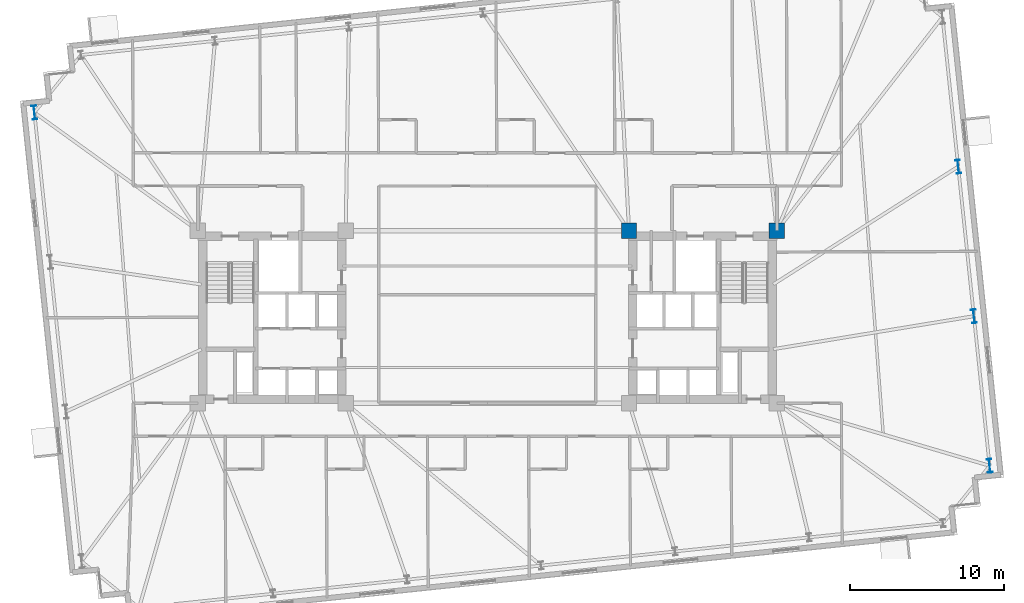
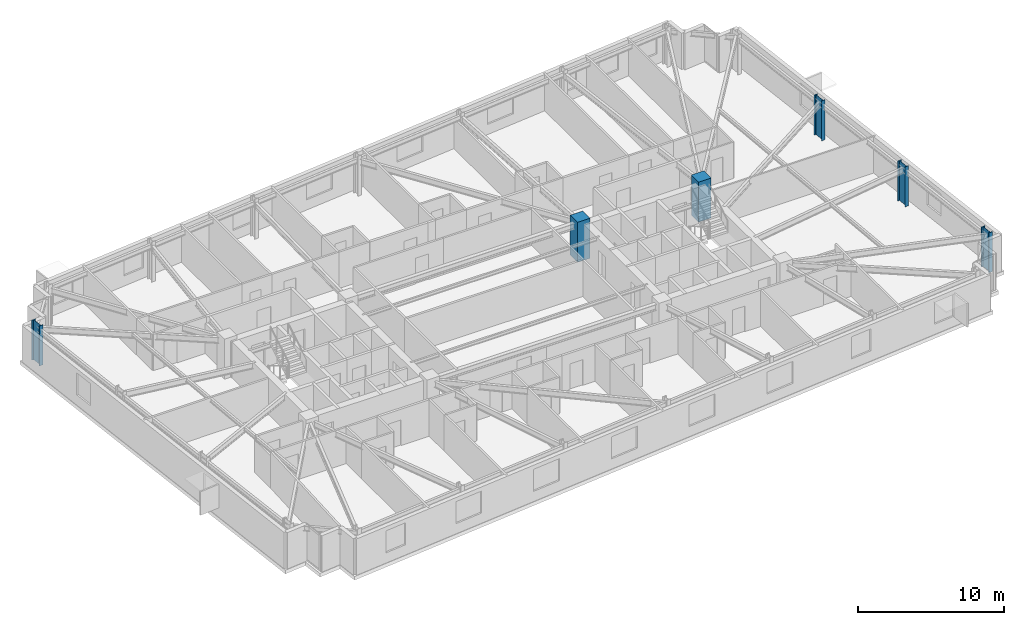
# One storey, part 2 of 18: 6 columns.
"""IFC4 building model written with IfcOpenShell, lengths in metres."""

from ifc_helpers import new_model, si_unit, direction, frame, origin, origin_2d, place, context, subcontext, project, spatial, rectangle, i_section, extrude, material, material_profile, profile_set, type_object, element, save


model = new_model("IFC4")

# Units and contexts
model_context = context("Model", 3, precision=1e-05, world=origin(), true_north=direction((0.0, 1.0)))
body_context = subcontext(model_context, "Body", "Model", "MODEL_VIEW")
ifc_project = project(units=[si_unit("LENGTHUNIT", "METRE"), si_unit("AREAUNIT", "SQUARE_METRE"), si_unit("VOLUMEUNIT", "CUBIC_METRE"), si_unit("PLANEANGLEUNIT", "RADIAN"), si_unit("MASSUNIT", "GRAM", prefix="KILO")], contexts=[model_context])

# Site, building, storey
site_placement = place(None, origin())
site = spatial("IfcSite", under=ifc_project, at=site_placement, CompositionType="ELEMENT")
building_placement = place(site_placement, origin())
building = spatial("IfcBuilding", under=site, at=building_placement, Name="Qobustan Lattice House", CompositionType="ELEMENT")
storey_placement = place(building_placement, frame((0.0, 0.0, 119.199951171875)))
storey = spatial("IfcBuildingStorey", under=building, at=storey_placement, Name="L33", CompositionType="ELEMENT", Elevation=119.199951171875)

# Columns
ifc_material_1 = material(Name="Concrete C60/75", Category="concrete")
ifc_material_profile_1 = material_profile(ifc_material_1, rectangle(XDim=1.0, YDim=1.0, at=origin_2d()), Name="RC1000x1000")
ifc_profile_set_1 = profile_set([ifc_material_profile_1], Name="Concrete C60/75")
column_type_1 = type_object("IfcColumnType", Name="COL-RC-1000", PredefinedType="COLUMN", material=ifc_profile_set_1)
for number, where, z_axis, x_axis, name in (
    (1, (9.199951171875, 5.60009765625, 0.0), (0.0, 0.0, 1.0), (1.0, 0.0, 0.0), "L33 core mega-column CE-NW"),
    (2, (18.800048828125, 5.60009765625, 0.0), (0.0, 0.0, 1.0), (1.0, 0.0, 0.0), "L33 core mega-column CE-NE"),
):
    element("IfcColumn", number, at=place(storey_placement, frame(where, z_axis=z_axis, x_axis=x_axis)), inside=storey, type_object=column_type_1, Name=name, PredefinedType="COLUMN", context=body_context, shape_type="SweptSolid", body=[
        extrude(rectangle(XDim=1.0, YDim=1.0, at=origin_2d()), origin(), (0.0, 0.0, 1.0), 3.35009765625),
    ])
ifc_material_2 = material(Name="Steel S355", Category="steel")
ifc_material_profile_2 = material_profile(ifc_material_2, i_section(OverallWidth=0.300048828125, OverallDepth=0.89990234375, WebThickness=0.0185546875, FlangeThickness=0.034912109375, FilletRadius=0.030029296875, at=origin_2d()), Name="HEB900")
ifc_profile_set_2 = profile_set([ifc_material_profile_2], Name="Steel S355")
column_type_2 = type_object("IfcColumnType", Name="COL-ST-HEB900", PredefinedType="COLUMN", material=ifc_profile_set_2)
for number, where, z_axis, x_axis, name in (
    (3, (32.618896484375, -9.67041015625, 0.0), (0.0, 0.0, 1.0), (0.994521895368, 0.104528463268, 0.0), "L33 B2 perimeter column E1"),
    (4, (31.597900390625, 0.042724609375, 0.0), (0.0, 0.0, 1.0), (0.994521895368, 0.104528463268, 0.0), "L33 B2 perimeter column E2"),
    (5, (30.5771484375, 9.755859375, 0.0), (0.0, 0.0, 1.0), (0.994521895368, 0.104528463268, 0.0), "L33 B2 perimeter column E3"),
    (6, (-29.4189453125, 13.2705078125, 0.0), (0.0, 0.0, 1.0), (0.994521895368, 0.104528463268, 0.0), "L33 B2 perimeter column W1"),
):
    element("IfcColumn", number, at=place(storey_placement, frame(where, z_axis=z_axis, x_axis=x_axis)), inside=storey, type_object=column_type_2, Name=name, PredefinedType="COLUMN", context=body_context, shape_type="SweptSolid", body=[
        extrude(i_section(OverallWidth=0.300048828125, OverallDepth=0.89990234375, WebThickness=0.0185546875, FlangeThickness=0.034912109375, FilletRadius=0.030029296875, at=origin_2d()), origin(), (0.0, 0.0, 1.0), 3.35009765625),
    ])

save(model, "model.ifc")
